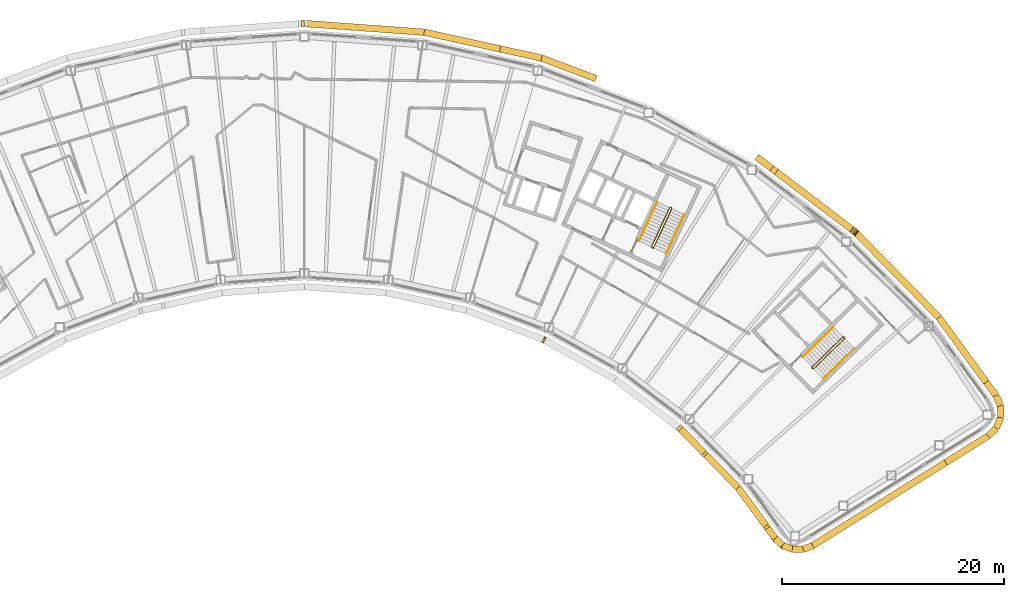
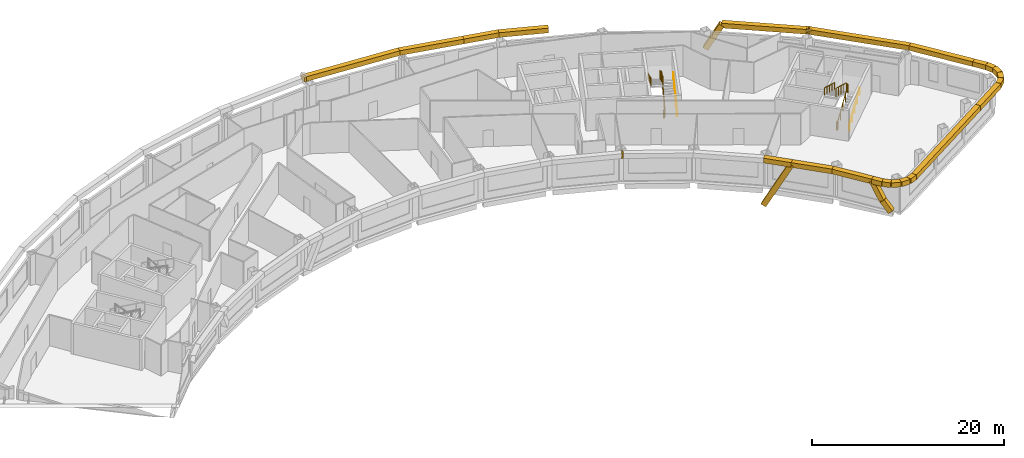
# One storey, part 14 of 14: 31 coverings, 6 railings.
"""IFC4 building model written with IfcOpenShell, lengths in metres."""

from ifc_helpers import new_model, si_unit, direction, frame, origin, origin_2d, place, context, subcontext, project, spatial, rectangle, circle, extrude, material, material_profile, profile_set, type_object, element, save


model = new_model("IFC4")

# Units and contexts
model_context = context("Model", 3, precision=1e-05, world=origin(), true_north=direction((0.0, 1.0)))
body_context = subcontext(model_context, "Body", "Model", "MODEL_VIEW")
ifc_project = project(units=[si_unit("LENGTHUNIT", "METRE"), si_unit("AREAUNIT", "SQUARE_METRE"), si_unit("VOLUMEUNIT", "CUBIC_METRE"), si_unit("PLANEANGLEUNIT", "RADIAN"), si_unit("MASSUNIT", "GRAM", prefix="KILO")], contexts=[model_context])

# Site, building, storey
site_placement = place(None, origin())
site = spatial("IfcSite", under=ifc_project, at=site_placement, CompositionType="ELEMENT")
building_placement = place(site_placement, origin())
building = spatial("IfcBuilding", under=site, at=building_placement, Name="Tuul Gate Civic Tower", CompositionType="ELEMENT")
storey_placement = place(building_placement, frame((0.0, 0.0, 323.89990234375)))
storey = spatial("IfcBuildingStorey", under=building, at=storey_placement, Name="Level 73", CompositionType="ELEMENT", Elevation=323.89990234375)

# Railings
ifc_material_1 = material(Name="Painted steel", Category="steel")
railing_type_1 = type_object("IfcRailingType", Name="Stair guard", PredefinedType="GUARDRAIL", material=ifc_material_1)
railing_1_placement = place(storey_placement, frame((48.10546875, -16.134765625, 0.0)))
element("IfcRailing", 1, at=railing_1_placement, inside=storey, type_object=railing_type_1, Name="Level 73 ST-3 stair guard 1", PredefinedType="GUARDRAIL", context=body_context, shape_type="SweptSolid", body=[
    extrude(circle(Radius=0.02392578125, at=origin_2d()), frame((0.0, 0.0, 1.076171875), z_axis=(-0.698506948293, 0.715603272202, 0.0), x_axis=(-0.715603272202, -0.698506948293, 0.0)), (0.0, 0.0, 1.0), 0.099853515625),
    extrude(circle(Radius=0.02392578125, at=origin_2d()), frame((-0.06982421875, 0.071533203125, 1.076171875), z_axis=(0.644948864628, -0.331432055434, 0.688617277337), x_axis=(0.457068866502, 0.889431307788, 0.0)), (0.0, 0.0, 1.0), 0.218017578125),
    extrude(circle(Radius=0.02392578125, at=origin_2d()), frame((0.07080078125, -0.000732421875, 1.22607421875), z_axis=(0.638731261263, 0.626133563701, 0.447190268558), x_axis=(-0.700029477518, 0.714113947914, 0.0)), (0.0, 0.0, 1.0), 4.3603515625),
    extrude(circle(Radius=0.02392578125, at=origin_2d()), frame((2.85595703125, 2.7294921875, 3.17626953125), z_axis=(0.010380063588, 0.999946125689, 0.0), x_axis=(-0.999946125689, 0.010380063588, 0.0)), (0.0, 0.0, 1.0), 0.070556640625),
    extrude(circle(Radius=0.02392578125, at=origin_2d()), frame((2.856689453125, 2.800048828125, 3.17626953125), z_axis=(-0.699754442181, 0.714383454909, 0.0), x_axis=(-0.714383454909, -0.699754442181, 0.0)), (0.0, 0.0, 1.0), 0.10009765625),
    extrude(circle(Radius=0.02392578125, at=origin_2d()), frame((2.78662109375, 2.87158203125, 3.17626953125), z_axis=(-0.427069033481, 0.004417955519, 0.904208229508), x_axis=(-0.010344274102, -0.999946496565, 0.0)), (0.0, 0.0, 1.0), 0.165771484375),
    extrude(circle(Radius=0.02392578125, at=origin_2d()), frame((2.7158203125, 2.872314453125, 3.326171875), z_axis=(-0.638715268259, -0.626117886127, 0.447235059857), x_axis=(0.700029477518, -0.714113947914, 0.0)), (0.0, 0.0, 1.0), 4.360595703125),
    extrude(circle(Radius=0.02099609375, at=origin_2d()), origin(), (0.0, 0.0, 1.0), 1.052001953125),
    extrude(circle(Radius=0.02099609375, at=origin_2d()), frame((-0.06982421875, 0.071533203125, 0.0)), (0.0, 0.0, 1.0), 1.052001953125),
    extrude(circle(Radius=0.02099609375, at=origin_2d()), frame((0.07080078125, -0.000732421875, 0.150146484375)), (0.0, 0.0, 1.0), 1.052001953125),
    extrude(circle(Radius=0.02099609375, at=origin_2d()), frame((0.76708984375, 0.681884765625, 0.6376953125)), (0.0, 0.0, 1.0), 1.052001953125),
    extrude(circle(Radius=0.02099609375, at=origin_2d()), frame((1.46337890625, 1.3642578125, 1.125)), (0.0, 0.0, 1.0), 1.052001953125),
    extrude(circle(Radius=0.02099609375, at=origin_2d()), frame((2.15966796875, 2.046875, 1.612548828125)), (0.0, 0.0, 1.0), 1.052001953125),
    extrude(circle(Radius=0.02099609375, at=origin_2d()), frame((2.85595703125, 2.7294921875, 2.10009765625)), (0.0, 0.0, 1.0), 1.052001953125),
    extrude(circle(Radius=0.02099609375, at=origin_2d()), frame((2.856689453125, 2.800048828125, 2.10009765625)), (0.0, 0.0, 1.0), 1.052001953125),
    extrude(circle(Radius=0.02099609375, at=origin_2d()), frame((2.78662109375, 2.87158203125, 2.10009765625)), (0.0, 0.0, 1.0), 1.052001953125),
    extrude(circle(Radius=0.02099609375, at=origin_2d()), frame((2.7158203125, 2.872314453125, 2.25)), (0.0, 0.0, 1.0), 1.052001953125),
    extrude(circle(Radius=0.02099609375, at=origin_2d()), frame((2.01953125, 2.189697265625, 2.737548828125)), (0.0, 0.0, 1.0), 1.052001953125),
    extrude(circle(Radius=0.02099609375, at=origin_2d()), frame((1.3232421875, 1.50732421875, 3.22509765625)), (0.0, 0.0, 1.0), 1.052001953125),
    extrude(circle(Radius=0.02099609375, at=origin_2d()), frame((0.626953125, 0.82470703125, 3.712646484375)), (0.0, 0.0, 1.0), 1.052001953125),
    extrude(circle(Radius=0.02099609375, at=origin_2d()), frame((-0.0693359375, 0.14208984375, 4.2001953125)), (0.0, 0.0, 1.0), 1.052001953125),
])
railing_2_placement = place(storey_placement, frame((33.645751953125, -5.238525390625, 0.0)))
element("IfcRailing", 2, at=railing_2_placement, inside=storey, type_object=railing_type_1, Name="Level 73 ST-4 stair guard 1", PredefinedType="GUARDRAIL", context=body_context, shape_type="SweptSolid", body=[
    extrude(circle(Radius=0.02392578125, at=origin_2d()), frame((0.0, 0.0, 1.076171875), z_axis=(-0.906307919131, 0.422617978463, 0.0), x_axis=(-0.422617978463, -0.906307919131, 0.0)), (0.0, 0.0, 1.0), 0.099853515625),
    extrude(circle(Radius=0.02392578125, at=origin_2d()), frame((-0.090576171875, 0.042236328125, 1.076171875), z_axis=(0.720179819621, -0.082882280952, 0.688818956559), x_axis=(0.114330889033, 0.993442724979, 0.0)), (0.0, 0.0, 1.0), 0.218017578125),
    extrude(circle(Radius=0.02392578125, at=origin_2d()), frame((0.06640625, 0.024169921875, 1.22607421875), z_axis=(0.377946903738, 0.810654114417, 0.447209173356), x_axis=(-0.906336612539, 0.422556439746, 0.0)), (0.0, 0.0, 1.0), 4.3603515625),
    extrude(circle(Radius=0.02392578125, at=origin_2d()), frame((1.71435546875, 3.558837890625, 3.17626953125), z_axis=(-0.342020437038, 0.939692513883, 0.0), x_axis=(-0.939692513883, -0.342020437038, 0.0)), (0.0, 0.0, 1.0), 0.070556640625),
    extrude(circle(Radius=0.02392578125, at=origin_2d()), frame((1.690185546875, 3.625244140625, 3.17626953125), z_axis=(-0.906307919131, 0.422617978463, 0.0), x_axis=(-0.422617978463, -0.906307919131, 0.0)), (0.0, 0.0, 1.0), 0.099853515625),
    extrude(circle(Radius=0.02392578125, at=origin_2d()), frame((1.599609375, 3.66748046875, 3.17626953125), z_axis=(-0.40070210376, -0.145843780413, 0.904526072458), x_axis=(0.342020437038, -0.939692513883, 0.0)), (0.0, 0.0, 1.0), 0.165771484375),
    extrude(circle(Radius=0.02392578125, at=origin_2d()), frame((1.533203125, 3.643310546875, 3.326171875), z_axis=(-0.377937439636, -0.810633814971, 0.447253965602), x_axis=(0.906336612539, -0.422556439746, 0.0)), (0.0, 0.0, 1.0), 4.3603515625),
    extrude(circle(Radius=0.02099609375, at=origin_2d()), origin(), (0.0, 0.0, 1.0), 1.052001953125),
    extrude(circle(Radius=0.02099609375, at=origin_2d()), frame((-0.090576171875, 0.042236328125, 0.0)), (0.0, 0.0, 1.0), 1.052001953125),
    extrude(circle(Radius=0.02099609375, at=origin_2d()), frame((0.06640625, 0.024169921875, 0.150146484375)), (0.0, 0.0, 1.0), 1.052001953125),
    extrude(circle(Radius=0.02099609375, at=origin_2d()), frame((0.478515625, 0.90771484375, 0.6376953125)), (0.0, 0.0, 1.0), 1.052001953125),
    extrude(circle(Radius=0.02099609375, at=origin_2d()), frame((0.890380859375, 1.79150390625, 1.125)), (0.0, 0.0, 1.0), 1.052001953125),
    extrude(circle(Radius=0.02099609375, at=origin_2d()), frame((1.30224609375, 2.67529296875, 1.612548828125)), (0.0, 0.0, 1.0), 1.052001953125),
    extrude(circle(Radius=0.02099609375, at=origin_2d()), frame((1.71435546875, 3.558837890625, 2.10009765625)), (0.0, 0.0, 1.0), 1.052001953125),
    extrude(circle(Radius=0.02099609375, at=origin_2d()), frame((1.690185546875, 3.625244140625, 2.10009765625)), (0.0, 0.0, 1.0), 1.052001953125),
    extrude(circle(Radius=0.02099609375, at=origin_2d()), frame((1.599609375, 3.66748046875, 2.10009765625)), (0.0, 0.0, 1.0), 1.052001953125),
    extrude(circle(Radius=0.02099609375, at=origin_2d()), frame((1.533203125, 3.643310546875, 2.25)), (0.0, 0.0, 1.0), 1.052001953125),
    extrude(circle(Radius=0.02099609375, at=origin_2d()), frame((1.12109375, 2.759765625, 2.737548828125)), (0.0, 0.0, 1.0), 1.052001953125),
    extrude(circle(Radius=0.02099609375, at=origin_2d()), frame((0.709228515625, 1.8759765625, 3.22509765625)), (0.0, 0.0, 1.0), 1.052001953125),
    extrude(circle(Radius=0.02099609375, at=origin_2d()), frame((0.29736328125, 0.9921875, 3.712646484375)), (0.0, 0.0, 1.0), 1.052001953125),
    extrude(circle(Radius=0.02099609375, at=origin_2d()), frame((-0.11474609375, 0.108642578125, 4.2001953125)), (0.0, 0.0, 1.0), 1.052001953125),
])
ifc_material_2 = material(Name="Painted steel", Category="steel")
railing_type_2 = type_object("IfcRailingType", Name="Stair handrail", PredefinedType="HANDRAIL", material=ifc_material_2)
railing_3_placement = place(storey_placement, frame((49.05126953125, -17.028076171875, 0.150146484375)))
element("IfcRailing", 3, at=railing_3_placement, inside=storey, type_object=railing_type_2, Name="Level 73 ST-3 stair handrail 1", PredefinedType="HANDRAIL", context=body_context, shape_type="SweptSolid", body=[
    extrude(circle(Radius=0.02392578125, at=origin_2d()), frame((0.0, 0.0, 0.8759765625), z_axis=(0.638753653487, 0.626099522554, 0.447205945863), x_axis=(-0.699997553204, 0.714145241186, 0.0)), (0.0, 0.0, 1.0), 4.3603515625),
    extrude(circle(Radius=0.02099609375, at=origin_2d()), origin(), (0.0, 0.0, 1.0), 0.851806640625),
    extrude(circle(Radius=0.02099609375, at=origin_2d()), frame((0.6962890625, 0.6826171875, 0.487548828125)), (0.0, 0.0, 1.0), 0.851806640625),
    extrude(circle(Radius=0.02099609375, at=origin_2d()), frame((1.392578125, 1.364990234375, 0.97509765625)), (0.0, 0.0, 1.0), 0.851806640625),
    extrude(circle(Radius=0.02099609375, at=origin_2d()), frame((2.0888671875, 2.04736328125, 1.46240234375)), (0.0, 0.0, 1.0), 0.851806640625),
    extrude(circle(Radius=0.02099609375, at=origin_2d()), frame((2.78515625, 2.72998046875, 1.949951171875)), (0.0, 0.0, 1.0), 0.851806640625),
])
railing_4_placement = place(storey_placement, frame((49.9462890625, -12.369873046875, 2.25)))
element("IfcRailing", 4, at=railing_4_placement, inside=storey, type_object=railing_type_2, Name="Level 73 ST-3 stair handrail 2", PredefinedType="HANDRAIL", context=body_context, shape_type="SweptSolid", body=[
    extrude(circle(Radius=0.02392578125, at=origin_2d()), frame((0.0, 0.0, 0.8759765625), z_axis=(-0.638737658801, -0.626083844733, 0.447250737947), x_axis=(0.699997553204, -0.714145241186, 0.0)), (0.0, 0.0, 1.0), 4.3603515625),
    extrude(circle(Radius=0.02099609375, at=origin_2d()), origin(), (0.0, 0.0, 1.0), 0.851806640625),
    extrude(circle(Radius=0.02099609375, at=origin_2d()), frame((-0.6962890625, -0.6826171875, 0.487548828125)), (0.0, 0.0, 1.0), 0.851806640625),
    extrude(circle(Radius=0.02099609375, at=origin_2d()), frame((-1.392578125, -1.364990234375, 0.97509765625)), (0.0, 0.0, 1.0), 0.851806640625),
    extrude(circle(Radius=0.02099609375, at=origin_2d()), frame((-2.0888671875, -2.04736328125, 1.462646484375)), (0.0, 0.0, 1.0), 0.851806640625),
    extrude(circle(Radius=0.02099609375, at=origin_2d()), frame((-2.78515625, -2.72998046875, 1.9501953125)), (0.0, 0.0, 1.0), 0.851806640625),
])
railing_5_placement = place(storey_placement, frame((34.844970703125, -5.74267578125, 0.150146484375)))
element("IfcRailing", 5, at=railing_5_placement, inside=storey, type_object=railing_type_2, Name="Level 73 ST-4 stair handrail 1", PredefinedType="HANDRAIL", context=body_context, shape_type="SweptSolid", body=[
    extrude(circle(Radius=0.02392578125, at=origin_2d()), frame((0.0, 0.0, 0.8759765625), z_axis=(0.377994896215, 0.810636958585, 0.447199709091), x_axis=(-0.906312636903, 0.422607861012, 0.0)), (0.0, 0.0, 1.0), 4.3603515625),
    extrude(circle(Radius=0.02099609375, at=origin_2d()), origin(), (0.0, 0.0, 1.0), 0.851806640625),
    extrude(circle(Radius=0.02099609375, at=origin_2d()), frame((0.412109375, 0.8837890625, 0.487548828125)), (0.0, 0.0, 1.0), 0.851806640625),
    extrude(circle(Radius=0.02099609375, at=origin_2d()), frame((0.82421875, 1.767333984375, 0.97509765625)), (0.0, 0.0, 1.0), 0.851806640625),
    extrude(circle(Radius=0.02099609375, at=origin_2d()), frame((1.236083984375, 2.65087890625, 1.46240234375)), (0.0, 0.0, 1.0), 0.851806640625),
    extrude(circle(Radius=0.02099609375, at=origin_2d()), frame((1.648193359375, 3.53466796875, 1.949951171875)), (0.0, 0.0, 1.0), 0.851806640625),
])
railing_6_placement = place(storey_placement, frame((34.046142578125, -1.06689453125, 2.25)))
element("IfcRailing", 6, at=railing_6_placement, inside=storey, type_object=railing_type_2, Name="Level 73 ST-4 stair handrail 2", PredefinedType="HANDRAIL", context=body_context, shape_type="SweptSolid", body=[
    extrude(circle(Radius=0.02392578125, at=origin_2d()), frame((0.0, 0.0, 0.8759765625), z_axis=(-0.377985431313, -0.810616660428, 0.447244500863), x_axis=(0.906312636903, -0.422607861012, 0.0)), (0.0, 0.0, 1.0), 4.3603515625),
    extrude(circle(Radius=0.02099609375, at=origin_2d()), origin(), (0.0, 0.0, 1.0), 0.851806640625),
    extrude(circle(Radius=0.02099609375, at=origin_2d()), frame((-0.412109375, -0.8837890625, 0.487548828125)), (0.0, 0.0, 1.0), 0.851806640625),
    extrude(circle(Radius=0.02099609375, at=origin_2d()), frame((-0.82421875, -1.767333984375, 0.97509765625)), (0.0, 0.0, 1.0), 0.851806640625),
    extrude(circle(Radius=0.02099609375, at=origin_2d()), frame((-1.236083984375, -2.65087890625, 1.462646484375)), (0.0, 0.0, 1.0), 0.851806640625),
    extrude(circle(Radius=0.02099609375, at=origin_2d()), frame((-1.648193359375, -3.53466796875, 1.9501953125)), (0.0, 0.0, 1.0), 0.851806640625),
])

# Coverings
ifc_material_3 = material(Name="Terracotta baguette", Category="masonry")
ifc_material_profile = material_profile(ifc_material_3, rectangle(XDim=0.60009765625, YDim=0.60009765625, at=origin_2d()), Name="Terracotta baguette screen frame")
ifc_profile_set = profile_set([ifc_material_profile], Name="Terracotta baguette")
covering_type = type_object("IfcCoveringType", Name="Terracotta baguette screen frame", PredefinedType="CLADDING", material=ifc_profile_set)
covering_1_placement = place(storey_placement, frame((60.09326171875, -24.597900390625, 3.85009765625), z_axis=(0.848043753002, 0.529926214669, 0.0), x_axis=(-0.529926214669, 0.848043753002, 0.0)))
element("IfcCovering", 7, at=covering_1_placement, inside=storey, type_object=covering_type, Name="Baguette 4", PredefinedType="CLADDING", context=body_context, shape_type="SweptSolid", body=[
    extrude(rectangle(XDim=0.60009765625, YDim=0.60009765625, at=origin_2d()), origin(), (0.0, 0.0, 1.0), 4.5263671875),
])
covering_2_placement = place(storey_placement, frame((63.931884765625, -22.19921875, 3.85009765625), z_axis=(0.722132123325, 0.691755156441, 0.0), x_axis=(-0.691755156441, 0.722132123325, 0.0)))
element("IfcCovering", 8, at=covering_2_placement, inside=storey, type_object=covering_type, Name="Baguette 5", PredefinedType="CLADDING", context=body_context, shape_type="SweptSolid", body=[
    extrude(rectangle(XDim=0.60009765625, YDim=0.60009765625, at=origin_2d()), origin(), (0.0, 0.0, 1.0), 0.988525390625),
])
covering_3_placement = place(storey_placement, frame((64.645751953125, -21.515380859375, 3.85009765625), z_axis=(0.38567152588, 0.92263615479, 0.0), x_axis=(-0.92263615479, 0.38567152588, 0.0)))
element("IfcCovering", 9, at=covering_3_placement, inside=storey, type_object=covering_type, Name="Baguette 6", PredefinedType="CLADDING", context=body_context, shape_type="SweptSolid", body=[
    extrude(rectangle(XDim=0.60009765625, YDim=0.60009765625, at=origin_2d()), origin(), (0.0, 0.0, 1.0), 1.066650390625),
])
covering_4_placement = place(storey_placement, frame((65.05712890625, -20.53125, 3.85009765625), z_axis=(-0.014630349823, 0.999892970704, 0.0), x_axis=(-0.999892970704, -0.014630349823, 0.0)))
element("IfcCovering", 10, at=covering_4_placement, inside=storey, type_object=covering_type, Name="Baguette 7", PredefinedType="CLADDING", context=body_context, shape_type="SweptSolid", body=[
    extrude(rectangle(XDim=0.60009765625, YDim=0.60009765625, at=origin_2d()), origin(), (0.0, 0.0, 1.0), 1.06787109375),
])
covering_5_placement = place(storey_placement, frame((65.04150390625, -19.46337890625, 3.85009765625), z_axis=(-0.413393330634, 0.910552554325, 0.0), x_axis=(-0.910552554325, -0.413393330634, 0.0)))
element("IfcCovering", 11, at=covering_5_placement, inside=storey, type_object=covering_type, Name="Baguette 8", PredefinedType="CLADDING", context=body_context, shape_type="SweptSolid", body=[
    extrude(rectangle(XDim=0.60009765625, YDim=0.60009765625, at=origin_2d()), origin(), (0.0, 0.0, 1.0), 0.988037109375),
])
covering_6_placement = place(storey_placement, frame((64.633056640625, -18.563720703125, 3.85009765625), z_axis=(-0.589705276406, 0.80761852813, 0.0), x_axis=(-0.80761852813, -0.589705276406, 0.0)))
element("IfcCovering", 12, at=covering_6_placement, inside=storey, type_object=covering_type, Name="Baguette 9", PredefinedType="CLADDING", context=body_context, shape_type="SweptSolid", body=[
    extrude(rectangle(XDim=0.60009765625, YDim=0.60009765625, at=origin_2d()), origin(), (0.0, 0.0, 1.0), 1.49462890625),
])
for number, where, z_axis, x_axis, name in (
    (13, (51.885498046875, -3.76123046875, 4.017822265625), (-0.377826807686, 0.288172988913, -0.879888192815), (-0.606449175924, -0.795122252878, 0.0), "Baguette 28"),
    (14, (51.8134765625, -3.706298828125, 3.85009765625), (0.377826807686, -0.288172988913, -0.879888192815), (0.606449175924, 0.795122252878, 0.0), "Baguette 31"),
):
    element("IfcCovering", number, at=place(storey_placement, frame(where, z_axis=z_axis, x_axis=x_axis)), inside=storey, type_object=covering_type, Name=name, PredefinedType="CLADDING", context=body_context, shape_type="SweptSolid", body=[
        extrude(rectangle(XDim=0.60009765625, YDim=0.60009765625, at=origin_2d()), origin(), (0.0, 0.0, 1.0), 0.190673828125),
    ])
covering_7_placement = place(storey_placement, frame((51.8134765625, -3.706298828125, 3.85009765625), z_axis=(-0.795609596357, 0.605809681488, 0.0), x_axis=(-0.605809681488, -0.795609596357, 0.0)))
element("IfcCovering", 15, at=covering_7_placement, inside=storey, type_object=covering_type, Name="Baguette 33", PredefinedType="CLADDING", context=body_context, shape_type="SweptSolid", body=[
    extrude(rectangle(XDim=0.60009765625, YDim=0.60009765625, at=origin_2d()), origin(), (0.0, 0.0, 1.0), 9.072265625),
])
covering_8_placement = place(storey_placement, frame((44.595458984375, 1.789794921875, 3.85009765625), z_axis=(-0.378068215842, 0.28784582991, -0.879891585579), x_axis=(-0.605768691074, -0.795640806467, 0.0)))
element("IfcCovering", 16, at=covering_8_placement, inside=storey, type_object=covering_type, Name="Baguette 37", PredefinedType="CLADDING", context=body_context, shape_type="SweptSolid", body=[
    extrude(rectangle(XDim=0.60009765625, YDim=0.60009765625, at=origin_2d()), origin(), (0.0, 0.0, 1.0), 3.552978515625),
])
covering_9_placement = place(storey_placement, frame((28.518310546875, 10.055908203125, 3.85009765625), z_axis=(-0.935342449407, 0.35374355448, 0.0), x_axis=(-0.35374355448, -0.935342449407, 0.0)))
element("IfcCovering", 17, at=covering_9_placement, inside=storey, type_object=covering_type, Name="Baguette 54", PredefinedType="CLADDING", context=body_context, shape_type="SweptSolid", body=[
    extrude(rectangle(XDim=0.60009765625, YDim=0.60009765625, at=origin_2d()), origin(), (0.0, 0.0, 1.0), 5.245849609375),
])
covering_10_placement = place(storey_placement, frame((23.611572265625, 11.91162109375, 3.85009765625), z_axis=(-0.976568358032, 0.215207439673, 0.0), x_axis=(-0.215207439673, -0.976568358032, 0.0)))
element("IfcCovering", 18, at=covering_10_placement, inside=storey, type_object=covering_type, Name="Baguette 55", PredefinedType="CLADDING", context=body_context, shape_type="SweptSolid", body=[
    extrude(rectangle(XDim=0.60009765625, YDim=0.60009765625, at=origin_2d()), origin(), (0.0, 0.0, 1.0), 3.826416015625),
])
covering_11_placement = place(storey_placement, frame((23.77294921875, -13.4873046875, 3.85009765625), z_axis=(0.874240236697, -0.485493572089, 0.0), x_axis=(0.485493572089, 0.874240236697, 0.0)))
element("IfcCovering", 19, at=covering_11_placement, inside=storey, type_object=covering_type, Name="Baguette 231", PredefinedType="CLADDING", context=body_context, shape_type="SweptSolid", body=[
    extrude(rectangle(XDim=0.60009765625, YDim=0.60009765625, at=origin_2d()), origin(), (0.0, 0.0, 1.0), 0.138671875),
])
covering_12_placement = place(storey_placement, frame((38.267578125, -23.724853515625, 3.85009765625), z_axis=(-0.326377311382, 0.332849597158, -0.884697121215), x_axis=(-0.714014739077, -0.700130668076, 0.0)))
element("IfcCovering", 20, at=covering_12_placement, inside=storey, type_object=covering_type, Name="Baguette 250", PredefinedType="CLADDING", context=body_context, shape_type="SweptSolid", body=[
    extrude(rectangle(XDim=0.60009765625, YDim=0.60009765625, at=origin_2d()), origin(), (0.0, 0.0, 1.0), 6.4501953125),
])
covering_13_placement = place(storey_placement, frame((38.267578125, -23.724853515625, 3.85009765625), z_axis=(0.700097974416, -0.714046795538, 0.0), x_axis=(0.714046795538, 0.700097974416, 0.0)))
element("IfcCovering", 21, at=covering_13_placement, inside=storey, type_object=covering_type, Name="Baguette 252", PredefinedType="CLADDING", context=body_context, shape_type="SweptSolid", body=[
    extrude(rectangle(XDim=0.60009765625, YDim=0.60009765625, at=origin_2d()), origin(), (0.0, 0.0, 1.0), 4.41064453125),
])
covering_14_placement = place(storey_placement, frame((41.35546875, -26.874267578125, 3.85009765625), z_axis=(0.589725332229, -0.807603883427, 0.0), x_axis=(0.807603883427, 0.589725332229, 0.0)))
element("IfcCovering", 22, at=covering_14_placement, inside=storey, type_object=covering_type, Name="Baguette 253", PredefinedType="CLADDING", context=body_context, shape_type="SweptSolid", body=[
    extrude(rectangle(XDim=0.60009765625, YDim=0.60009765625, at=origin_2d()), origin(), (0.0, 0.0, 1.0), 4.51904296875),
])
covering_15_placement = place(storey_placement, frame((44.0205078125, -30.52392578125, 3.85009765625), z_axis=(0.278681482042, -0.381622395998, -0.881306404402), x_axis=(0.807589091071, 0.589745589202, 0.0)))
element("IfcCovering", 23, at=covering_15_placement, inside=storey, type_object=covering_type, Name="Baguette 258", PredefinedType="CLADDING", context=body_context, shape_type="SweptSolid", body=[
    extrude(rectangle(XDim=0.60009765625, YDim=0.60009765625, at=origin_2d()), origin(), (0.0, 0.0, 1.0), 2.43798828125),
])
covering_16_placement = place(storey_placement, frame((44.699951171875, -31.454345703125, 1.701416015625), z_axis=(0.418363304831, -0.391662567009, -0.819495319556), x_axis=(0.68342735956, 0.730018523193, 0.0)))
element("IfcCovering", 24, at=covering_16_placement, inside=storey, type_object=covering_type, Name="Baguette 259", PredefinedType="CLADDING", context=body_context, shape_type="SweptSolid", body=[
    extrude(rectangle(XDim=0.60009765625, YDim=0.60009765625, at=origin_2d()), origin(), (0.0, 0.0, 1.0), 1.57275390625),
])
covering_17_placement = place(storey_placement, frame((63.751708984375, -17.356689453125, 3.85009765625), z_axis=(-0.589770536042, 0.807570872937, 0.0), x_axis=(-0.807570872937, -0.589770536042, 0.0)))
element("IfcCovering", 25, at=covering_17_placement, inside=storey, type_object=covering_type, Name="Baguette 285", PredefinedType="CLADDING", context=body_context, shape_type="SweptSolid", body=[
    extrude(rectangle(XDim=0.60009765625, YDim=0.60009765625, at=origin_2d()), origin(), (0.0, 0.0, 1.0), 7.240234375),
])
covering_18_placement = place(storey_placement, frame((59.481689453125, -11.509765625, 3.85009765625), z_axis=(-0.70005206482, 0.714091805401, 0.0), x_axis=(-0.714091805401, -0.70005206482, 0.0)))
element("IfcCovering", 26, at=covering_18_placement, inside=storey, type_object=covering_type, Name="Baguette 286", PredefinedType="CLADDING", context=body_context, shape_type="SweptSolid", body=[
    extrude(rectangle(XDim=0.60009765625, YDim=0.60009765625, at=origin_2d()), origin(), (0.0, 0.0, 1.0), 10.850830078125),
])
covering_19_placement = place(storey_placement, frame((51.885498046875, -3.76123046875, 3.85009765625), z_axis=(-0.795122252878, 0.606449175924, 0.0), x_axis=(-0.606449175924, -0.795122252878, 0.0)))
element("IfcCovering", 27, at=covering_19_placement, inside=storey, type_object=covering_type, Name="Baguette 287", PredefinedType="CLADDING", context=body_context, shape_type="SweptSolid", body=[
    extrude(rectangle(XDim=0.60009765625, YDim=0.60009765625, at=origin_2d()), origin(), (0.0, 0.0, 1.0), 0.090576171875),
])
covering_20_placement = place(storey_placement, frame((19.874755859375, 12.735107421875, 3.85009765625), z_axis=(-0.976564178605, 0.215226404203, 0.0), x_axis=(-0.215226404203, -0.976564178605, 0.0)))
element("IfcCovering", 28, at=covering_20_placement, inside=storey, type_object=covering_type, Name="Baguette 299", PredefinedType="CLADDING", context=body_context, shape_type="SweptSolid", body=[
    extrude(rectangle(XDim=0.60009765625, YDim=0.60009765625, at=origin_2d()), origin(), (0.0, 0.0, 1.0), 7.02490234375),
])
covering_21_placement = place(storey_placement, frame((13.014404296875, 14.2470703125, 3.85009765625), z_axis=(-0.997386817082, 0.072246363998, 0.0), x_axis=(-0.072246363998, -0.997386817082, 0.0)))
element("IfcCovering", 29, at=covering_21_placement, inside=storey, type_object=covering_type, Name="Baguette 300", PredefinedType="CLADDING", context=body_context, shape_type="SweptSolid", body=[
    extrude(rectangle(XDim=0.60009765625, YDim=0.60009765625, at=origin_2d()), origin(), (0.0, 0.0, 1.0), 10.850830078125),
])
covering_22_placement = place(storey_placement, frame((2.19189453125, 15.031005859375, 3.85009765625), z_axis=(-0.997361039964, -0.072601349588, 0.0), x_axis=(0.072601349588, -0.997361039964, 0.0)))
element("IfcCovering", 30, at=covering_22_placement, inside=storey, type_object=covering_type, Name="Baguette 301", PredefinedType="CLADDING", context=body_context, shape_type="SweptSolid", body=[
    extrude(rectangle(XDim=0.60009765625, YDim=0.60009765625, at=origin_2d()), origin(), (0.0, 0.0, 1.0), 0.26904296875),
])
covering_23_placement = place(storey_placement, frame((36.162353515625, -21.577880859375, 3.85009765625), z_axis=(0.700130668076, -0.714014739077, 0.0), x_axis=(0.714014739077, 0.700130668076, 0.0)))
element("IfcCovering", 31, at=covering_23_placement, inside=storey, type_object=covering_type, Name="Baguette 365", PredefinedType="CLADDING", context=body_context, shape_type="SweptSolid", body=[
    extrude(rectangle(XDim=0.60009765625, YDim=0.60009765625, at=origin_2d()), origin(), (0.0, 0.0, 1.0), 3.0068359375),
])
covering_24_placement = place(storey_placement, frame((44.0205078125, -30.52392578125, 3.85009765625), z_axis=(0.589745589202, -0.807589091071, 0.0), x_axis=(0.807589091071, 0.589745589202, 0.0)))
element("IfcCovering", 32, at=covering_24_placement, inside=storey, type_object=covering_type, Name="Baguette 369", PredefinedType="CLADDING", context=body_context, shape_type="SweptSolid", body=[
    extrude(rectangle(XDim=0.60009765625, YDim=0.60009765625, at=origin_2d()), origin(), (0.0, 0.0, 1.0), 1.152099609375),
])
covering_25_placement = place(storey_placement, frame((44.699951171875, -31.454345703125, 3.85009765625), z_axis=(0.730018523193, -0.68342735956, 0.0), x_axis=(0.68342735956, 0.730018523193, 0.0)))
element("IfcCovering", 33, at=covering_25_placement, inside=storey, type_object=covering_type, Name="Baguette 370", PredefinedType="CLADDING", context=body_context, shape_type="SweptSolid", body=[
    extrude(rectangle(XDim=0.60009765625, YDim=0.60009765625, at=origin_2d()), origin(), (0.0, 0.0, 1.0), 0.9013671875),
])
covering_26_placement = place(storey_placement, frame((45.35791015625, -32.0703125, 3.85009765625), z_axis=(0.929097482407, -0.369834920181, 0.0), x_axis=(0.369834920181, 0.929097482407, 0.0)))
element("IfcCovering", 34, at=covering_26_placement, inside=storey, type_object=covering_type, Name="Baguette 371", PredefinedType="CLADDING", context=body_context, shape_type="SweptSolid", body=[
    extrude(rectangle(XDim=0.60009765625, YDim=0.60009765625, at=origin_2d()), origin(), (0.0, 0.0, 1.0), 0.974365234375),
])
covering_27_placement = place(storey_placement, frame((46.26318359375, -32.4306640625, 3.85009765625), z_axis=(0.999996195982, -0.002758264332, 0.0), x_axis=(0.002758264332, 0.999996195982, 0.0)))
element("IfcCovering", 35, at=covering_27_placement, inside=storey, type_object=covering_type, Name="Baguette 372", PredefinedType="CLADDING", context=body_context, shape_type="SweptSolid", body=[
    extrude(rectangle(XDim=0.60009765625, YDim=0.60009765625, at=origin_2d()), origin(), (0.0, 0.0, 1.0), 0.9736328125),
])
covering_28_placement = place(storey_placement, frame((47.23681640625, -32.433349609375, 3.85009765625), z_axis=(0.931801188997, 0.362969067807, 0.0), x_axis=(-0.362969067807, 0.931801188997, 0.0)))
element("IfcCovering", 36, at=covering_28_placement, inside=storey, type_object=covering_type, Name="Baguette 373", PredefinedType="CLADDING", context=body_context, shape_type="SweptSolid", body=[
    extrude(rectangle(XDim=0.60009765625, YDim=0.60009765625, at=origin_2d()), origin(), (0.0, 0.0, 1.0), 0.9013671875),
])
covering_29_placement = place(storey_placement, frame((48.07666015625, -32.106201171875, 3.85009765625), z_axis=(0.84806412021, 0.529893619524, 0.0), x_axis=(-0.529893619524, 0.84806412021, 0.0)))
element("IfcCovering", 37, at=covering_29_placement, inside=storey, type_object=covering_type, Name="Baguette 374", PredefinedType="CLADDING", context=body_context, shape_type="SweptSolid", body=[
    extrude(rectangle(XDim=0.60009765625, YDim=0.60009765625, at=origin_2d()), origin(), (0.0, 0.0, 1.0), 14.16943359375),
])

save(model, "model.ifc")
